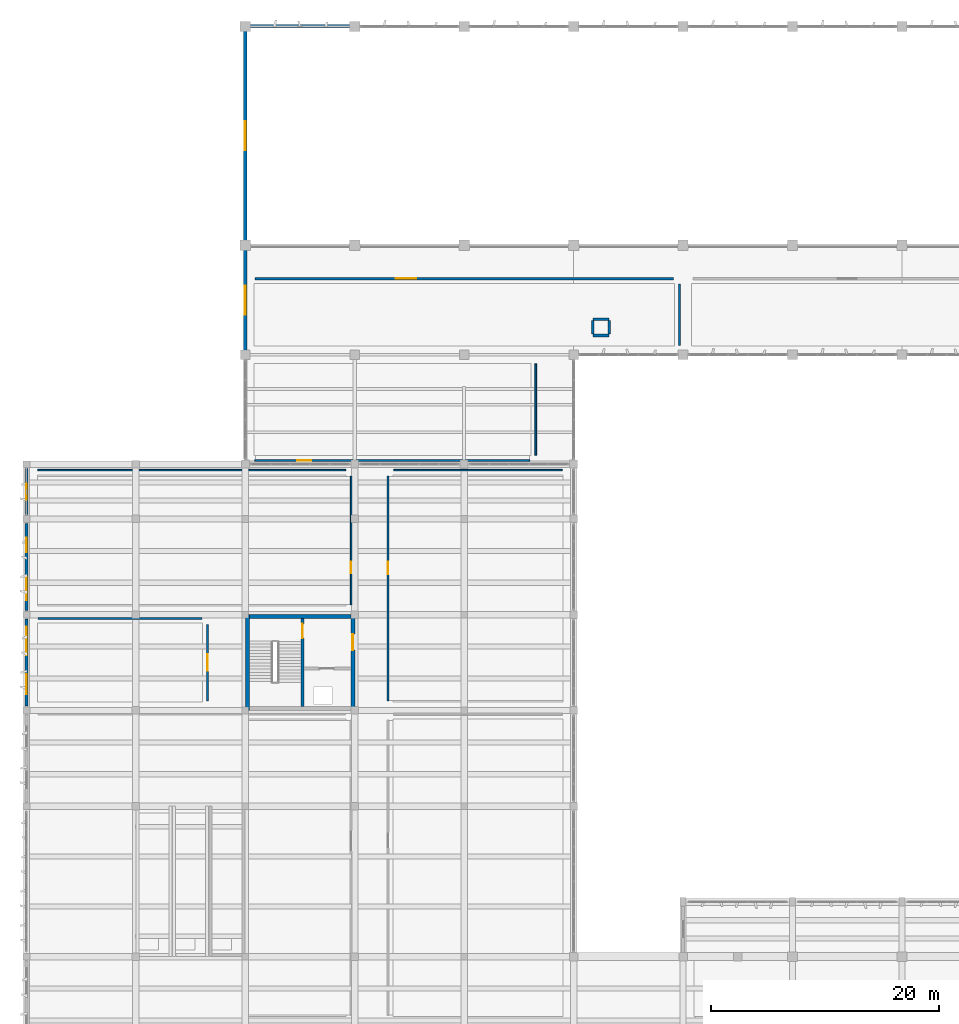
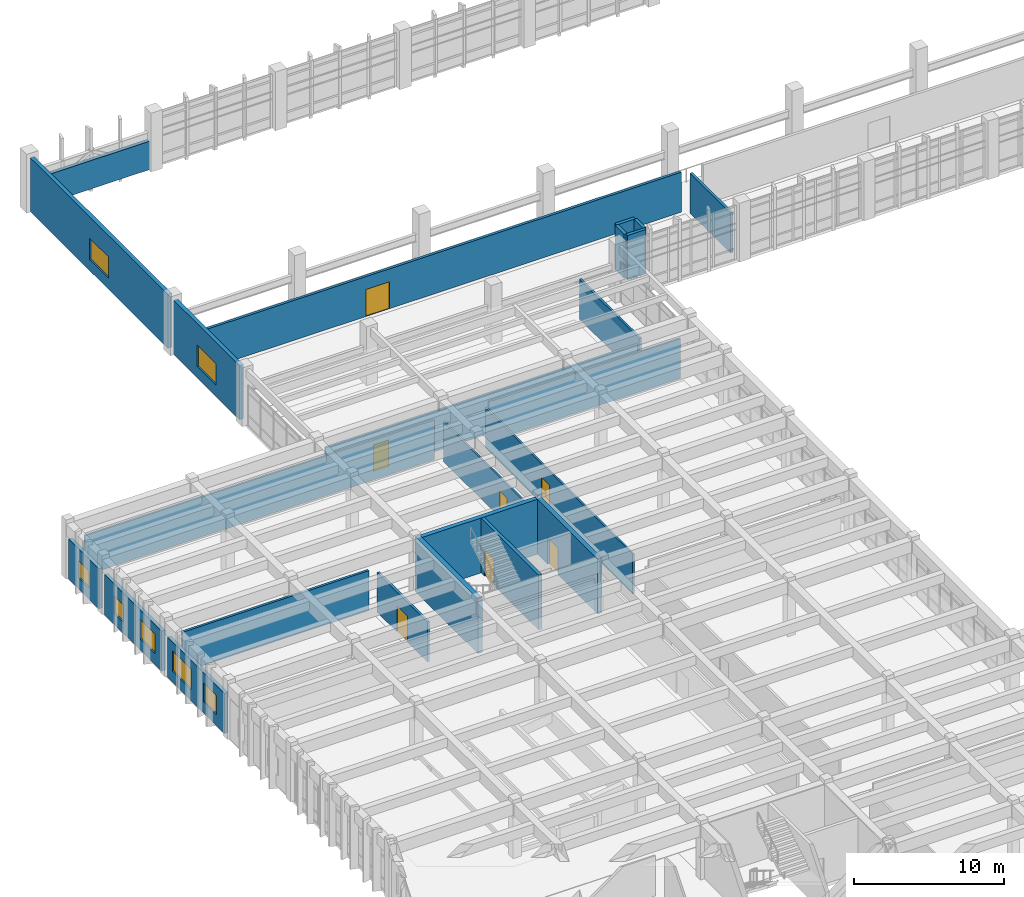
# One storey, part 68 of 86: 24 walls, 7 doors, 7 windows, 14 openings.
"""IFC4 building model written with IfcOpenShell, lengths in metres."""

import ifcopenshell
import ifcopenshell.guid

model = None  # the IFC model being written
_history = None  # IfcOwnerHistory: only IFC2X3 demands one
_inside = {}  # id of a spatial element -> (the spatial element, [elements in it])
_under = {}  # id of a project, library or spatial element -> (it, [spatial elements below it])
_declared = {}  # id of a project -> (the project, [libraries it declares])
_typed = {}  # id of a type object -> (the type object, [elements of that type])
_made_of = {}  # id of a material, layer set ... -> (it, [elements and type objects made of it])


def new_model(schema):
    """Start an empty IFC model of exactly this schema.

    Asked for "IFC4X3", IfcOpenShell would pick the latest addendum, in which some entities
    have other attributes; the version numbers below select the first issue.
    IFC2X3 requires an IfcOwnerHistory on every rooted entity: one is made here for all.
    """
    global model, _history
    if schema == "IFC4X3":
        model = ifcopenshell.file(schema_version=(4, 3, 0, 0))
    else:
        model = ifcopenshell.file(schema=schema)
    _inside.clear()
    _under.clear()
    _declared.clear()
    _typed.clear()
    _made_of.clear()
    _history = None
    if model.schema == "IFC2X3":
        org = make("IfcOrganization", Name="unknown")
        user = make(
            "IfcPersonAndOrganization",
            ThePerson=make("IfcPerson", FamilyName="unknown"),
            TheOrganization=org,
        )
        app = make(
            "IfcApplication",
            ApplicationDeveloper=org,
            Version="unknown",
            ApplicationFullName="unknown",
            ApplicationIdentifier="unknown",
        )
        _history = make(
            "IfcOwnerHistory",
            OwningUser=user,
            OwningApplication=app,
            ChangeAction="ADDED",
            CreationDate=0,
        )
    return model


def make(cls, **values):
    """One entity of the class cls with the attributes given. An attribute that is None is left unset."""
    return model.create_entity(
        cls, **{name: value for name, value in values.items() if value is not None}
    )


def rooted(cls, **values):
    """An entity with a GlobalId (a new one), such as an element, a storey or a relation."""
    return make(cls, GlobalId=ifcopenshell.guid.new(), OwnerHistory=_history, **values)


def si_unit(unit_type, name, prefix=None):
    """IfcSIUnit, for example si_unit("LENGTHUNIT", "METRE", prefix="MILLI")."""
    return make("IfcSIUnit", UnitType=unit_type, Prefix=prefix, Name=name)


def assignment(units):
    """IfcUnitAssignment: the units of a project."""
    return None if units is None else make("IfcUnitAssignment", Units=units)


def point(xyz):
    """IfcCartesianPoint."""
    return None if xyz is None else make("IfcCartesianPoint", Coordinates=xyz)


def direction(xyz):
    """IfcDirection."""
    return None if xyz is None else make("IfcDirection", DirectionRatios=xyz)


def frame(location, z_axis=None, x_axis=None):
    """IfcAxis2Placement3D, a coordinate frame: its origin and axes. An axis left out is left unset."""
    return make(
        "IfcAxis2Placement3D",
        Location=point(location),
        Axis=direction(z_axis),
        RefDirection=direction(x_axis),
    )


def frame_2d(location, x_axis=None):
    """IfcAxis2Placement2D, a coordinate frame in the plane: its origin and x axis."""
    return make(
        "IfcAxis2Placement2D", Location=point(location), RefDirection=direction(x_axis)
    )


def origin():
    """The frame at (0, 0, 0) with its axes left unset."""
    return frame((0.0, 0.0, 0.0))


def place(relative_to, where):
    """IfcLocalPlacement: puts the frame where relative to a parent placement (None: the world)."""
    return make(
        "IfcLocalPlacement", PlacementRelTo=relative_to, RelativePlacement=where
    )


def context(
    kind, dimensions, precision=None, world=None, true_north=None, identifier=None
):
    """IfcGeometricRepresentationContext, for example the 3D "Model" context."""
    return make(
        "IfcGeometricRepresentationContext",
        ContextIdentifier=identifier,
        ContextType=kind,
        CoordinateSpaceDimension=dimensions,
        Precision=precision,
        WorldCoordinateSystem=world,
        TrueNorth=true_north,
    )


def subcontext(parent, identifier, kind, view, scale=None):
    """IfcGeometricRepresentationSubContext, for example "Body" below "Model"."""
    return make(
        "IfcGeometricRepresentationSubContext",
        ContextIdentifier=identifier,
        ContextType=kind,
        ParentContext=parent,
        TargetScale=scale,
        TargetView=view,
    )


def project(units=None, contexts=None):
    """IfcProject with its units and contexts."""
    return rooted(
        "IfcProject",
        Name="project",
        RepresentationContexts=contexts,
        UnitsInContext=assignment(units),
    )


def spatial(cls, under=None, at=None, **own):
    """A site, building, storey or space (cls), placed at a placement, below another one or the project."""
    s = rooted(cls, ObjectPlacement=at, **own)
    if under is not None:
        _under.setdefault(under.id(), (under, []))[1].append(s)
    return s


def profile(cls, at=None, kind="AREA", **sizes):
    """A parametric profile (cls). Its sizes go by their IFC names, for example OverallWidth=200.0."""
    return make(cls, ProfileType=kind, Position=at, **sizes)


def rectangle(**sizes):
    """IfcRectangleProfileDef."""
    return profile("IfcRectangleProfileDef", **sizes)


def extrude(swept, where, along, depth):
    """IfcExtrudedAreaSolid: the profile swept, set in the frame where, extruded along a direction by depth."""
    return make(
        "IfcExtrudedAreaSolid",
        SweptArea=swept,
        Position=where,
        ExtrudedDirection=direction(along),
        Depth=depth,
    )


def shape(context_of_items, identifier, shape_type, items):
    """IfcShapeRepresentation: the items that make up one representation, for example the "Body"."""
    return make(
        "IfcShapeRepresentation",
        ContextOfItems=context_of_items,
        RepresentationIdentifier=identifier,
        RepresentationType=shape_type,
        Items=items,
    )


def material(Name=None, Category=None):
    """IfcMaterial."""
    return make("IfcMaterial", Name=Name, Category=Category)


def layer(
    of_material, thickness, ventilated=None, Name=None, Category=None, Priority=None
):
    """IfcMaterialLayer: one layer of a wall or slab, of a material (None: an air gap)."""
    return make(
        "IfcMaterialLayer",
        Material=of_material,
        LayerThickness=thickness,
        IsVentilated=ventilated,
        Name=Name,
        Category=Category,
        Priority=Priority,
    )


def layer_set(layers, Name=None):
    """IfcMaterialLayerSet."""
    return make("IfcMaterialLayerSet", MaterialLayers=layers, LayerSetName=Name)


def made_of(thing, what):
    """Note that an element or type object is made of a material, layer set ...; save() writes the relation."""
    if what is not None:
        _made_of.setdefault(what.id(), (what, []))[1].append(thing)
    return thing


def type_object(cls, material=None, **own):
    """A type object (cls), such as IfcWallType, which elements share."""
    return made_of(rooted(cls, **own), material)


def element(
    cls,
    number,
    at=None,
    inside=None,
    cuts=None,
    type_object=None,
    material=None,
    context=None,
    identifier="Body",
    shape_type=None,
    held_by="IfcProductDefinitionShape",
    body=None,
    shapes=None,
    **own,
):
    """One element of the class cls, such as IfcWall. Its Tag is "e" and its number.

    at: its placement. inside: the storey or other place that contains it. cuts: it is an
    opening in that element (IfcRelVoidsElement). A single representation is given by context,
    identifier, shape_type and body (its items); several are given by shapes. held_by: the class
    of the entity that holds the representations. save() writes the other relations.
    """
    e = rooted(cls, Tag="e%d" % number, ObjectPlacement=at, **own)
    if body is not None:
        shapes = [shape(context, identifier, shape_type, body)]
    if shapes is not None:
        e.Representation = make(held_by, Representations=shapes)
    if inside is not None:
        _inside.setdefault(inside.id(), (inside, []))[1].append(e)
    if cuts is not None:
        rooted(
            "IfcRelVoidsElement", RelatingBuildingElement=cuts, RelatedOpeningElement=e
        )
    if type_object is not None:
        _typed.setdefault(type_object.id(), (type_object, []))[1].append(e)
    return made_of(e, material)


def fill(opening, filler):
    """IfcRelFillsElement: the door or window that sits in an opening."""
    return rooted(
        "IfcRelFillsElement",
        RelatingOpeningElement=opening,
        RelatedBuildingElement=filler,
    )


def aggregate(whole, parts):
    """IfcRelAggregates: a whole, such as a stair, and the parts it consists of."""
    return rooted("IfcRelAggregates", RelatingObject=whole, RelatedObjects=parts)


def save(model, path):
    """Write the relations noted so far, then the file.

    IfcRelAggregates (storeys below a building ...), IfcRelContainedInSpatialStructure (elements
    in a storey), IfcRelDefinesByType, IfcRelAssociatesMaterial and IfcRelDeclares: one each for
    every whole, place, type object, material and project.
    """
    for whole, parts in _under.values():
        aggregate(whole, parts)
    for where, things in _inside.values():
        rooted(
            "IfcRelContainedInSpatialStructure",
            RelatedElements=things,
            RelatingStructure=where,
        )
    for kind, things in _typed.values():
        rooted("IfcRelDefinesByType", RelatedObjects=things, RelatingType=kind)
    for what, things in _made_of.values():
        rooted("IfcRelAssociatesMaterial", RelatedObjects=things, RelatingMaterial=what)
    for by, libraries in _declared.values():
        rooted("IfcRelDeclares", RelatingContext=by, RelatedDefinitions=libraries)
    model.write(path)


model = new_model("IFC4")

# Units and contexts
model_context = context("Model", 3, precision=1e-05, world=origin(), true_north=direction((0.0, 1.0)))
body_context = subcontext(model_context, "Body", "Model", "MODEL_VIEW")
ifc_project = project(units=[si_unit("LENGTHUNIT", "METRE"), si_unit("AREAUNIT", "SQUARE_METRE"), si_unit("VOLUMEUNIT", "CUBIC_METRE"), si_unit("PLANEANGLEUNIT", "RADIAN"), si_unit("MASSUNIT", "GRAM", prefix="KILO")], contexts=[model_context])

# Site, building, storey
site_placement = place(None, origin())
site = spatial("IfcSite", under=ifc_project, at=site_placement, CompositionType="ELEMENT")
building_placement = place(site_placement, origin())
building = spatial("IfcBuilding", under=site, at=building_placement, Name="Kolvemor Railside Polytechnic", CompositionType="ELEMENT")
storey_placement = place(building_placement, frame((0.0, 0.0, 5.39990234375)))
storey = spatial("IfcBuildingStorey", under=building, at=storey_placement, Name="L01", CompositionType="ELEMENT", Elevation=5.39990234375)

# Walls
ifc_material_1 = material(Name="Concrete C40/50", Category="concrete")
ifc_layer_1 = layer(ifc_material_1, 0.35009765625, Name="WL-CORE-350")
ifc_layer_set_1 = layer_set([ifc_layer_1], Name="Concrete C40/50")
wall_type_1 = type_object("IfcWallType", Name="WL-CORE-350", PredefinedType="SHEAR", material=ifc_layer_set_1)
wall_1_placement = place(storey_placement, frame((19.199951171875, 68.22509765625, 0.0), z_axis=(0.0, 0.0, 1.0), x_axis=(1.0, 0.0, 0.0)))
element("IfcWall", 1, at=wall_1_placement, inside=storey, type_object=wall_type_1, Name="CORE-5 North Core Wall L01", PredefinedType="SHEAR", context=body_context, shape_type="SweptSolid", body=[
    extrude(rectangle(XDim=9.60009765625, YDim=0.35009765625, at=frame_2d((4.800048828125, 0.0))), origin(), (0.0, 0.0, 1.0), 4.47998046875),
])
wall_2_placement = place(storey_placement, frame((19.375, 60.0, 0.0), z_axis=(0.0, 0.0, 1.0), x_axis=(0.0, 1.0, 0.0)))
element("IfcWall", 2, at=wall_2_placement, inside=storey, type_object=wall_type_1, Name="CORE-5 West Core Wall L01", PredefinedType="SHEAR", context=body_context, shape_type="SweptSolid", body=[
    extrude(rectangle(XDim=8.39990234375, YDim=0.35009765625, at=frame_2d((4.199951171875, 0.0))), origin(), (0.0, 0.0, 1.0), 4.47998046875),
])

# Wall, opening, door
wall_3_placement = place(storey_placement, frame((28.625, 60.0, 0.0), z_axis=(0.0, 0.0, 1.0), x_axis=(0.0, 1.0, 0.0)))
wall_3 = element("IfcWall", 3, at=wall_3_placement, inside=storey, type_object=wall_type_1, Name="CORE-5 East Core Wall L01", PredefinedType="SHEAR", context=body_context, shape_type="SweptSolid", body=[
    extrude(rectangle(XDim=8.39990234375, YDim=0.35009765625, at=frame_2d((4.199951171875, 0.0))), origin(), (0.0, 0.0, 1.0), 4.47998046875),
])
opening_1_placement = place(wall_3_placement, frame((5.300048828125, 0.0, 0.0)))
opening_1 = element("IfcOpeningElement", 4, at=opening_1_placement, cuts=wall_3, Name="Opening D-LOB-5-L01", PredefinedType="OPENING", context=body_context, shape_type="SweptSolid", body=[
    extrude(rectangle(XDim=1.39990234375, YDim=2.14990234375, at=frame_2d((0.699951171875, 1.074951171875))), frame((0.0, 0.18505859375, 0.0), z_axis=(0.0, -1.0, 0.0), x_axis=(1.0, 0.0, 0.0)), (0.0, 0.0, 1.0), 0.3701171875),
])
ifc_material_2 = material(Name="Fire-rated hardwood and brushed stainless-steel door", Category="steel")
door_type_1 = type_object("IfcDoorType", Name="DR-FD60-140x215", OperationType="NOTDEFINED", PredefinedType="DOOR", material=ifc_material_2)
door_1_placement = place(opening_1_placement, origin())
door_1 = element("IfcDoor", 5, at=door_1_placement, inside=storey, type_object=door_type_1, Name="Core Lobby Fire Door CORE-5 L01", OperationType="SINGLE_SWING_LEFT", OverallHeight=2.14990234375, OverallWidth=1.39990234375, PredefinedType="DOOR", context=body_context, shape_type="SweptSolid", body=[
    extrude(rectangle(XDim=1.39990234375, YDim=2.14990234375, at=frame_2d((0.699951171875, 1.074951171875))), frame((0.0, 0.02490234375, 0.0), z_axis=(0.0, -1.0, 0.0), x_axis=(1.0, 0.0, 0.0)), (0.0, 0.0, 1.0), 0.050048828125),
])
fill(opening_1, door_1)

# Wall, openings, windows
ifc_material_3 = material(Name="Precast concrete C40/50", Category="concrete")
ifc_layer_2 = layer(ifc_material_3, 0.284912109375, Name="WL-EXT-RC-285")
ifc_layer_set_2 = layer_set([ifc_layer_2], Name="Precast concrete C40/50")
wall_type_2 = type_object("IfcWallType", Name="WL-EXT-RC-285", PredefinedType="SOLIDWALL", material=ifc_layer_set_2)
wall_4_placement = place(storey_placement, frame((0.0, 68.02001953125, 0.0), z_axis=(0.0, 0.0, 1.0), x_axis=(0.0, -1.0, 0.0)))
wall_4 = element("IfcWall", 6, at=wall_4_placement, inside=storey, type_object=wall_type_2, Name="Exterior Wall L01-0068", PredefinedType="SOLIDWALL", context=body_context, shape_type="SweptSolid", body=[
    extrude(rectangle(XDim=7.64013671875, YDim=0.284912109375, at=frame_2d((3.820068359375, 0.0))), origin(), (0.0, 0.0, 1.0), 3.280029296875),
])
opening_2_placement = place(wall_4_placement, frame((0.659912109375, 0.0, 0.89990234375)))
opening_2 = element("IfcOpeningElement", 7, at=opening_2_placement, cuts=wall_4, Name="Opening WN-M22", PredefinedType="OPENING", context=body_context, shape_type="SweptSolid", body=[
    extrude(rectangle(XDim=2.5, YDim=1.64990234375, at=frame_2d((1.25, 0.824951171875))), frame((0.0, 0.15234375, 0.0), z_axis=(0.0, -1.0, 0.0), x_axis=(1.0, 0.0, 0.0)), (0.0, 0.0, 1.0), 0.304931640625),
])
opening_3_placement = place(wall_4_placement, frame((4.85498046875, 0.0, 0.89990234375)))
opening_3 = element("IfcOpeningElement", 8, at=opening_3_placement, cuts=wall_4, Name="Opening WN-M05", PredefinedType="OPENING", context=body_context, shape_type="SweptSolid", body=[
    extrude(rectangle(XDim=1.75, YDim=1.550048828125, at=frame_2d((0.875, 0.77490234375))), frame((0.0, 0.15234375, 0.0), z_axis=(0.0, -1.0, 0.0), x_axis=(1.0, 0.0, 0.0)), (0.0, 0.0, 1.0), 0.304931640625),
])
ifc_material_4 = material(Name="Hurricane-laminated thermally broken aluminium window", Category="aluminium")
window_type_1 = type_object("IfcWindowType", Name="WN-MOD-175x155", PartitioningType="SINGLE_PANEL", PredefinedType="WINDOW", material=ifc_material_4)
window_1_placement = place(opening_3_placement, origin())
window_1 = element("IfcWindow", 9, at=window_1_placement, inside=storey, type_object=window_type_1, Name="Window L01-0069", OverallHeight=1.550048828125, OverallWidth=1.75, PartitioningType="SINGLE_PANEL", PredefinedType="WINDOW", context=body_context, shape_type="SweptSolid", body=[
    extrude(rectangle(XDim=1.75, YDim=1.550048828125, at=frame_2d((0.875, 0.77490234375))), frame((0.0, 0.030029296875, 0.0), z_axis=(0.0, -1.0, 0.0), x_axis=(1.0, 0.0, 0.0)), (0.0, 0.0, 1.0), 0.06005859375),
])
fill(opening_3, window_1)
ifc_material_5 = material(Name="Hurricane-laminated thermally broken aluminium window", Category="aluminium")
window_type_2 = type_object("IfcWindowType", Name="WN-MOD-250x165", PartitioningType="DOUBLE_PANEL_VERTICAL", PredefinedType="WINDOW", material=ifc_material_5)
window_2_placement = place(opening_2_placement, origin())
window_2 = element("IfcWindow", 10, at=window_2_placement, inside=storey, type_object=window_type_2, Name="Window L01-0068", OverallHeight=1.64990234375, OverallWidth=2.5, PartitioningType="SINGLE_PANEL", PredefinedType="WINDOW", context=body_context, shape_type="SweptSolid", body=[
    extrude(rectangle(XDim=2.5, YDim=1.64990234375, at=frame_2d((1.25, 0.824951171875))), frame((0.0, 0.030029296875, 0.0), z_axis=(0.0, -1.0, 0.0), x_axis=(1.0, 0.0, 0.0)), (0.0, 0.0, 1.0), 0.06005859375),
])
fill(opening_2, window_2)

wall_5_placement = place(storey_placement, frame((0.0, 76.419921875, 0.0), z_axis=(0.0, 0.0, 1.0), x_axis=(0.0, -1.0, 0.0)))
wall_5 = element("IfcWall", 11, at=wall_5_placement, inside=storey, type_object=wall_type_2, Name="Exterior Wall L01-0075", PredefinedType="SOLIDWALL", context=body_context, shape_type="SweptSolid", body=[
    extrude(rectangle(XDim=7.639892578125, YDim=0.284912109375, at=frame_2d((3.81982421875, 0.0))), origin(), (0.0, 0.0, 1.0), 3.280029296875),
])
opening_4_placement = place(wall_5_placement, frame((1.260009765625, 0.0, 0.89990234375)))
opening_4 = element("IfcOpeningElement", 12, at=opening_4_placement, cuts=wall_5, Name="Opening WN-M01", PredefinedType="OPENING", context=body_context, shape_type="SweptSolid", body=[
    extrude(rectangle(XDim=1.300048828125, YDim=1.39990234375, at=frame_2d((0.64990234375, 0.699951171875))), frame((0.0, 0.15234375, 0.0), z_axis=(0.0, -1.0, 0.0), x_axis=(1.0, 0.0, 0.0)), (0.0, 0.0, 1.0), 0.304931640625),
])
opening_5_placement = place(wall_5_placement, frame((4.705078125, 0.0, 0.89990234375)))
opening_5 = element("IfcOpeningElement", 13, at=opening_5_placement, cuts=wall_5, Name="Opening WN-M08", PredefinedType="OPENING", context=body_context, shape_type="SweptSolid", body=[
    extrude(rectangle(XDim=2.050048828125, YDim=1.60009765625, at=frame_2d((1.02490234375, 0.800048828125))), frame((0.0, 0.15234375, 0.0), z_axis=(0.0, -1.0, 0.0), x_axis=(1.0, 0.0, 0.0)), (0.0, 0.0, 1.0), 0.304931640625),
])
ifc_material_6 = material(Name="Hurricane-laminated thermally broken aluminium window", Category="aluminium")
window_type_3 = type_object("IfcWindowType", Name="WN-MOD-130x140", PartitioningType="SINGLE_PANEL", PredefinedType="WINDOW", material=ifc_material_6)
window_3_placement = place(opening_4_placement, origin())
window_3 = element("IfcWindow", 14, at=window_3_placement, inside=storey, type_object=window_type_3, Name="Window L01-0077", OverallHeight=1.39990234375, OverallWidth=1.300048828125, PartitioningType="SINGLE_PANEL", PredefinedType="WINDOW", context=body_context, shape_type="SweptSolid", body=[
    extrude(rectangle(XDim=1.300048828125, YDim=1.39990234375, at=frame_2d((0.64990234375, 0.699951171875))), frame((0.0, 0.030029296875, 0.0), z_axis=(0.0, -1.0, 0.0), x_axis=(1.0, 0.0, 0.0)), (0.0, 0.0, 1.0), 0.06005859375),
])
fill(opening_4, window_3)
ifc_material_7 = material(Name="Hurricane-laminated thermally broken aluminium window", Category="aluminium")
window_type_4 = type_object("IfcWindowType", Name="WN-MOD-205x160", PartitioningType="DOUBLE_PANEL_VERTICAL", PredefinedType="WINDOW", material=ifc_material_7)
window_4_placement = place(opening_5_placement, origin())
window_4 = element("IfcWindow", 15, at=window_4_placement, inside=storey, type_object=window_type_4, Name="Window L01-0078", OverallHeight=1.60009765625, OverallWidth=2.050048828125, PartitioningType="SINGLE_PANEL", PredefinedType="WINDOW", context=body_context, shape_type="SweptSolid", body=[
    extrude(rectangle(XDim=2.050048828125, YDim=1.60009765625, at=frame_2d((1.02490234375, 0.800048828125))), frame((0.0, 0.030029296875, 0.0), z_axis=(0.0, -1.0, 0.0), x_axis=(1.0, 0.0, 0.0)), (0.0, 0.0, 1.0), 0.06005859375),
])
fill(opening_5, window_4)

# Wall, opening, window
wall_6_placement = place(storey_placement, frame((0.0, 81.219970703125, 0.0), z_axis=(0.0, 0.0, 1.0), x_axis=(0.0, -1.0, 0.0)))
wall_6 = element("IfcWall", 16, at=wall_6_placement, inside=storey, type_object=wall_type_2, Name="Exterior Wall L01-0082", PredefinedType="SOLIDWALL", context=body_context, shape_type="SweptSolid", body=[
    extrude(rectangle(XDim=4.0400390625, YDim=0.284912109375, at=frame_2d((2.02001953125, 0.0))), origin(), (0.0, 0.0, 1.0), 3.280029296875),
])
opening_6_placement = place(wall_6_placement, frame((1.320068359375, 0.0, 0.89990234375)))
opening_6 = element("IfcOpeningElement", 17, at=opening_6_placement, cuts=wall_6, Name="Opening WN-ADM1", PredefinedType="OPENING", context=body_context, shape_type="SweptSolid", body=[
    extrude(rectangle(XDim=1.39990234375, YDim=1.39990234375, at=frame_2d((0.699951171875, 0.699951171875))), frame((0.0, 0.15234375, 0.0), z_axis=(0.0, -1.0, 0.0), x_axis=(1.0, 0.0, 0.0)), (0.0, 0.0, 1.0), 0.304931640625),
])
ifc_material_8 = material(Name="Hurricane-laminated thermally broken aluminium window", Category="aluminium")
window_type_5 = type_object("IfcWindowType", Name="WN-ADM-140x140", PartitioningType="SINGLE_PANEL", PredefinedType="WINDOW", material=ifc_material_8)
window_5_placement = place(opening_6_placement, origin())
window_5 = element("IfcWindow", 18, at=window_5_placement, inside=storey, type_object=window_type_5, Name="Window L01-0086", OverallHeight=1.39990234375, OverallWidth=1.39990234375, PartitioningType="SINGLE_PANEL", PredefinedType="WINDOW", context=body_context, shape_type="SweptSolid", body=[
    extrude(rectangle(XDim=1.39990234375, YDim=1.39990234375, at=frame_2d((0.699951171875, 0.699951171875))), frame((0.0, 0.030029296875, 0.0), z_axis=(0.0, -1.0, 0.0), x_axis=(1.0, 0.0, 0.0)), (0.0, 0.0, 1.0), 0.06005859375),
])
fill(opening_6, window_5)

# Wall
ifc_material_9 = material(Name="Concrete C40/50", Category="concrete")
ifc_layer_3 = layer(ifc_material_9, 0.300048828125, Name="WL-EXT-RC-300")
ifc_layer_set_3 = layer_set([ifc_layer_3], Name="Concrete C40/50")
wall_type_3 = type_object("IfcWallType", Name="WL-EXT-RC-300", PredefinedType="SOLIDWALL", material=ifc_layer_set_3)
wall_7_placement = place(storey_placement, frame((28.419921875, 120.0, 0.0), z_axis=(0.0, 0.0, 1.0), x_axis=(-1.0, 0.0, 0.0)))
element("IfcWall", 19, at=wall_7_placement, inside=storey, type_object=wall_type_3, Name="Exterior Wall L01-0002", PredefinedType="SOLIDWALL", context=body_context, shape_type="SweptSolid", body=[
    extrude(rectangle(XDim=8.83984375, YDim=0.300048828125, at=frame_2d((4.419921875, 0.0))), origin(), (0.0, 0.0, 1.0), 2.320068359375),
])

# Wall, opening, window
wall_8_placement = place(storey_placement, frame((19.199951171875, 100.419921875, 0.0), z_axis=(0.0, 0.0, 1.0), x_axis=(0.0, -1.0, 0.0)))
wall_8 = element("IfcWall", 20, at=wall_8_placement, inside=storey, type_object=wall_type_3, Name="Exterior Wall L01-0018", PredefinedType="SOLIDWALL", context=body_context, shape_type="SweptSolid", body=[
    extrude(rectangle(XDim=8.83984375, YDim=0.300048828125, at=frame_2d((4.419921875, 0.0))), origin(), (0.0, 0.0, 1.0), 4.400146484375),
])
opening_7_placement = place(wall_8_placement, frame((3.14501953125, 0.0, 0.89990234375)))
opening_7 = element("IfcOpeningElement", 21, at=opening_7_placement, cuts=wall_8, Name="Opening WN-M13", PredefinedType="OPENING", context=body_context, shape_type="SweptSolid", body=[
    extrude(rectangle(XDim=2.550048828125, YDim=1.75, at=frame_2d((1.27490234375, 0.875))), frame((0.0, 0.159912109375, 0.0), z_axis=(0.0, -1.0, 0.0), x_axis=(1.0, 0.0, 0.0)), (0.0, 0.0, 1.0), 0.320068359375),
])
ifc_material_10 = material(Name="Hurricane-laminated thermally broken aluminium window", Category="aluminium")
window_type_6 = type_object("IfcWindowType", Name="WN-MOD-255x175", PartitioningType="DOUBLE_PANEL_VERTICAL", PredefinedType="WINDOW", material=ifc_material_10)
window_6_placement = place(opening_7_placement, origin())
window_6 = element("IfcWindow", 22, at=window_6_placement, inside=storey, type_object=window_type_6, Name="Window L01-0013", OverallHeight=1.75, OverallWidth=2.550048828125, PartitioningType="SINGLE_PANEL", PredefinedType="WINDOW", context=body_context, shape_type="SweptSolid", body=[
    extrude(rectangle(XDim=2.550048828125, YDim=1.75, at=frame_2d((1.27490234375, 0.875))), frame((0.0, 0.030029296875, 0.0), z_axis=(0.0, -1.0, 0.0), x_axis=(1.0, 0.0, 0.0)), (0.0, 0.0, 1.0), 0.06005859375),
])
fill(opening_7, window_6)

wall_9_placement = place(storey_placement, frame((19.199951171875, 119.6201171875, 0.0), z_axis=(0.0, 0.0, 1.0), x_axis=(0.0, -1.0, 0.0)))
wall_9 = element("IfcWall", 23, at=wall_9_placement, inside=storey, type_object=wall_type_3, Name="Exterior Wall L01-0022", PredefinedType="SOLIDWALL", context=body_context, shape_type="SweptSolid", body=[
    extrude(rectangle(XDim=18.440185546875, YDim=0.300048828125, at=frame_2d((9.22021484375, 0.0))), origin(), (0.0, 0.0, 1.0), 4.400146484375),
])
opening_8_placement = place(wall_9_placement, frame((7.945068359375, 0.0, 0.89990234375)))
opening_8 = element("IfcOpeningElement", 24, at=opening_8_placement, cuts=wall_9, Name="Opening WN-M13", PredefinedType="OPENING", context=body_context, shape_type="SweptSolid", body=[
    extrude(rectangle(XDim=2.550048828125, YDim=1.75, at=frame_2d((1.27490234375, 0.875))), frame((0.0, 0.159912109375, 0.0), z_axis=(0.0, -1.0, 0.0), x_axis=(1.0, 0.0, 0.0)), (0.0, 0.0, 1.0), 0.320068359375),
])
window_7_placement = place(opening_8_placement, origin())
window_7 = element("IfcWindow", 25, at=window_7_placement, inside=storey, type_object=window_type_6, Name="Window L01-0017", OverallHeight=1.75, OverallWidth=2.550048828125, PartitioningType="SINGLE_PANEL", PredefinedType="WINDOW", context=body_context, shape_type="SweptSolid", body=[
    extrude(rectangle(XDim=2.550048828125, YDim=1.75, at=frame_2d((1.27490234375, 0.875))), frame((0.0, 0.030029296875, 0.0), z_axis=(0.0, -1.0, 0.0), x_axis=(1.0, 0.0, 0.0)), (0.0, 0.0, 1.0), 0.06005859375),
])
fill(opening_8, window_7)

# Wall, opening, door
ifc_material_11 = material(Name="Seminar acoustic partition")
ifc_layer_4 = layer(ifc_material_11, 0.139892578125, Name="WL-PART-140")
ifc_layer_set_4 = layer_set([ifc_layer_4], Name="Seminar acoustic partition")
wall_type_4 = type_object("IfcWallType", Name="WL-PART-140", PredefinedType="PARTITIONING", material=ifc_layer_set_4)
wall_10_placement = place(storey_placement, frame((28.47998046875, 69.25, 0.0), z_axis=(0.0, 0.0, 1.0), x_axis=(0.0, 1.0, 0.0)))
wall_10 = element("IfcWall", 26, at=wall_10_placement, inside=storey, type_object=wall_type_4, Name="Partition Wall L01-0090", PredefinedType="PARTITIONING", context=body_context, shape_type="SweptSolid", body=[
    extrude(rectangle(XDim=11.300048828125, YDim=0.139892578125, at=frame_2d((5.64990234375, 0.0))), origin(), (0.0, 0.0, 1.0), 3.260009765625),
])
opening_9_placement = place(wall_10_placement, frame((2.764892578125, 0.0, 0.0)))
opening_9 = element("IfcOpeningElement", 27, at=opening_9_placement, cuts=wall_10, Name="Opening D-01052", PredefinedType="OPENING", context=body_context, shape_type="SweptSolid", body=[
    extrude(rectangle(XDim=1.0400390625, YDim=2.14990234375, at=frame_2d((0.52001953125, 1.074951171875))), frame((0.0, 0.079833984375, 0.0), z_axis=(0.0, -1.0, 0.0), x_axis=(1.0, 0.0, 0.0)), (0.0, 0.0, 1.0), 0.159912109375),
])
ifc_material_12 = material(Name="Solid hardwood acoustic door", Category="wood")
door_type_2 = type_object("IfcDoorType", Name="DR-SEM-104x215", OperationType="NOTDEFINED", PredefinedType="DOOR", material=ifc_material_12)
door_2_placement = place(opening_9_placement, origin())
door_2 = element("IfcDoor", 28, at=door_2_placement, inside=storey, type_object=door_type_2, Name="Room Door D-01052 (Seminar Room 101)", OperationType="SINGLE_SWING_LEFT", OverallHeight=2.14990234375, OverallWidth=1.0400390625, PredefinedType="DOOR", context=body_context, shape_type="SweptSolid", body=[
    extrude(rectangle(XDim=1.0400390625, YDim=2.14990234375, at=frame_2d((0.52001953125, 1.074951171875))), frame((0.0, 0.02490234375, 0.0), z_axis=(0.0, -1.0, 0.0), x_axis=(1.0, 0.0, 0.0)), (0.0, 0.0, 1.0), 0.050048828125),
])
fill(opening_9, door_2)

# Wall
wall_11_placement = place(storey_placement, frame((1.0, 81.080078125, 0.0), z_axis=(0.0, 0.0, 1.0), x_axis=(1.0, 0.0, 0.0)))
element("IfcWall", 29, at=wall_11_placement, inside=storey, type_object=wall_type_4, Name="Demising Partition L01-0091", PredefinedType="PARTITIONING", context=body_context, shape_type="SweptSolid", body=[
    extrude(rectangle(XDim=27.0, YDim=0.139892578125, at=frame_2d((13.5, 0.0))), origin(), (0.0, 0.0, 1.0), 3.260009765625),
])

# Wall, opening, door
wall_12_placement = place(storey_placement, frame((31.719970703125, 60.85009765625, 0.0), z_axis=(0.0, 0.0, 1.0), x_axis=(0.0, 1.0, 0.0)))
wall_12 = element("IfcWall", 30, at=wall_12_placement, inside=storey, type_object=wall_type_4, Name="Partition Wall L01-0096", PredefinedType="PARTITIONING", context=body_context, shape_type="SweptSolid", body=[
    extrude(rectangle(XDim=19.699951171875, YDim=0.139892578125, at=frame_2d((9.85009765625, 0.0))), origin(), (0.0, 0.0, 1.0), 3.260009765625),
])
opening_10_placement = place(wall_12_placement, frame((11.092041015625, 0.0, 0.0)))
opening_10 = element("IfcOpeningElement", 31, at=opening_10_placement, cuts=wall_12, Name="Opening D-01055", PredefinedType="OPENING", context=body_context, shape_type="SweptSolid", body=[
    extrude(rectangle(XDim=1.080078125, YDim=2.14990234375, at=frame_2d((0.5400390625, 1.074951171875))), frame((0.0, 0.079833984375, 0.0), z_axis=(0.0, -1.0, 0.0), x_axis=(1.0, 0.0, 0.0)), (0.0, 0.0, 1.0), 0.159912109375),
])
ifc_material_13 = material(Name="Solid hardwood acoustic door", Category="wood")
door_type_3 = type_object("IfcDoorType", Name="DR-SEM-108x215", OperationType="NOTDEFINED", PredefinedType="DOOR", material=ifc_material_13)
door_3_placement = place(opening_10_placement, origin())
door_3 = element("IfcDoor", 32, at=door_3_placement, inside=storey, type_object=door_type_3, Name="Room Door D-01055 (Seminar Room 103)", OperationType="SINGLE_SWING_RIGHT", OverallHeight=2.14990234375, OverallWidth=1.080078125, PredefinedType="DOOR", context=body_context, shape_type="SweptSolid", body=[
    extrude(rectangle(XDim=1.080078125, YDim=2.14990234375, at=frame_2d((0.5400390625, 1.074951171875))), frame((0.0, 0.02490234375, 0.0), z_axis=(0.0, -1.0, 0.0), x_axis=(1.0, 0.0, 0.0)), (0.0, 0.0, 1.0), 0.050048828125),
])
fill(opening_10, door_3)

# Wall
wall_13_placement = place(storey_placement, frame((32.199951171875, 81.080078125, 0.0), z_axis=(0.0, 0.0, 1.0), x_axis=(1.0, 0.0, 0.0)))
element("IfcWall", 33, at=wall_13_placement, inside=storey, type_object=wall_type_4, Name="Demising Partition L01-0097", PredefinedType="PARTITIONING", context=body_context, shape_type="SweptSolid", body=[
    extrude(rectangle(XDim=14.800048828125, YDim=0.139892578125, at=frame_2d((7.39990234375, 0.0))), origin(), (0.0, 0.0, 1.0), 3.260009765625),
])

# Wall, opening, door
ifc_material_14 = material(Name="Fire-rated laboratory corridor partition")
ifc_layer_5 = layer(ifc_material_14, 0.1650390625, Name="WL-PART-165")
ifc_layer_set_5 = layer_set([ifc_layer_5], Name="Fire-rated laboratory corridor partition")
wall_type_5 = type_object("IfcWallType", Name="WL-PART-165", PredefinedType="PARTITIONING", material=ifc_layer_set_5)
wall_14_placement = place(storey_placement, frame((20.050048828125, 81.919921875, 0.0), z_axis=(0.0, 0.0, 1.0), x_axis=(1.0, 0.0, 0.0)))
wall_14 = element("IfcWall", 34, at=wall_14_placement, inside=storey, type_object=wall_type_5, Name="Partition Wall L01-0083", PredefinedType="PARTITIONING", context=body_context, shape_type="SweptSolid", body=[
    extrude(rectangle(XDim=24.099853515625, YDim=0.1650390625, at=frame_2d((12.0498046875, 0.0))), origin(), (0.0, 0.0, 1.0), 3.260009765625),
])
opening_11_placement = place(wall_14_placement, frame((3.7119140625, 0.0, 0.0)))
opening_11 = element("IfcOpeningElement", 35, at=opening_11_placement, cuts=wall_14, Name="Opening D-01048", PredefinedType="OPENING", context=body_context, shape_type="SweptSolid", body=[
    extrude(rectangle(XDim=1.219970703125, YDim=2.14990234375, at=frame_2d((0.60986328125, 1.074951171875))), frame((0.0, 0.092529296875, 0.0), z_axis=(0.0, -1.0, 0.0), x_axis=(1.0, 0.0, 0.0)), (0.0, 0.0, 1.0), 0.18505859375),
])
ifc_material_15 = material(Name="Fire-rated hardwood and brushed stainless-steel door", Category="steel")
door_type_4 = type_object("IfcDoorType", Name="DR-LAB-122x215", OperationType="NOTDEFINED", PredefinedType="DOOR", material=ifc_material_15)
door_4_placement = place(opening_11_placement, origin())
door_4 = element("IfcDoor", 36, at=door_4_placement, inside=storey, type_object=door_type_4, Name="Room Door D-01048 (Geotechnical Mechanics Laboratory)", OperationType="SINGLE_SWING_LEFT", OverallHeight=2.14990234375, OverallWidth=1.219970703125, PredefinedType="DOOR", context=body_context, shape_type="SweptSolid", body=[
    extrude(rectangle(XDim=1.219970703125, YDim=2.14990234375, at=frame_2d((0.60986328125, 1.074951171875))), frame((0.0, 0.02490234375, 0.0), z_axis=(0.0, -1.0, 0.0), x_axis=(1.0, 0.0, 0.0)), (0.0, 0.0, 1.0), 0.050048828125),
])
fill(opening_11, door_4)

# Wall
wall_15_placement = place(storey_placement, frame((44.679931640625, 82.39990234375, 0.0), z_axis=(0.0, 0.0, 1.0), x_axis=(0.0, 1.0, 0.0)))
element("IfcWall", 37, at=wall_15_placement, inside=storey, type_object=wall_type_5, Name="Demising Partition L01-0084", PredefinedType="PARTITIONING", context=body_context, shape_type="SweptSolid", body=[
    extrude(rectangle(XDim=8.0, YDim=0.1650390625, at=frame_2d((4.0, 0.0))), origin(), (0.0, 0.0, 1.0), 3.260009765625),
])

# Wall, opening, door
ifc_material_16 = material(Name="Fire-rated double-stud acoustic partition")
ifc_layer_6 = layer(ifc_material_16, 0.179931640625, Name="WL-PART-180")
ifc_layer_set_6 = layer_set([ifc_layer_6], Name="Fire-rated double-stud acoustic partition")
wall_type_6 = type_object("IfcWallType", Name="WL-PART-180", PredefinedType="PARTITIONING", material=ifc_layer_set_6)
wall_16_placement = place(storey_placement, frame((15.8798828125, 60.85009765625, 0.0), z_axis=(0.0, 0.0, 1.0), x_axis=(0.0, 1.0, 0.0)))
wall_16 = element("IfcWall", 38, at=wall_16_placement, inside=storey, type_object=wall_type_6, Name="Partition Wall L01-0100", PredefinedType="PARTITIONING", context=body_context, shape_type="SweptSolid", body=[
    extrude(rectangle(XDim=6.699951171875, YDim=0.179931640625, at=frame_2d((3.35009765625, 0.0))), origin(), (0.0, 0.0, 1.0), 3.260009765625),
])
opening_12_placement = place(wall_16_placement, frame((2.625, 0.0, 0.0)))
opening_12 = element("IfcOpeningElement", 39, at=opening_12_placement, cuts=wall_16, Name="Opening D-01057", PredefinedType="OPENING", context=body_context, shape_type="SweptSolid", body=[
    extrude(rectangle(XDim=1.449951171875, YDim=2.14990234375, at=frame_2d((0.72509765625, 1.074951171875))), frame((0.0, 0.099853515625, 0.0), z_axis=(0.0, -1.0, 0.0), x_axis=(1.0, 0.0, 0.0)), (0.0, 0.0, 1.0), 0.199951171875),
])
ifc_material_17 = material(Name="Fire-rated hardwood and brushed stainless-steel door", Category="steel")
door_type_5 = type_object("IfcDoorType", Name="DR-PLT-145x215", OperationType="NOTDEFINED", PredefinedType="DOOR", material=ifc_material_17)
door_5_placement = place(opening_12_placement, origin())
door_5 = element("IfcDoor", 40, at=door_5_placement, inside=storey, type_object=door_type_5, Name="Room Door D-01057 (Lecture AHU Sub-Plant L01)", OperationType="SINGLE_SWING_RIGHT", OverallHeight=2.14990234375, OverallWidth=1.449951171875, PredefinedType="DOOR", context=body_context, shape_type="SweptSolid", body=[
    extrude(rectangle(XDim=1.449951171875, YDim=2.14990234375, at=frame_2d((0.72509765625, 1.074951171875))), frame((0.0, 0.02490234375, 0.0), z_axis=(0.0, -1.0, 0.0), x_axis=(1.0, 0.0, 0.0)), (0.0, 0.0, 1.0), 0.050048828125),
])
fill(opening_12, door_5)

# Wall
wall_17_placement = place(storey_placement, frame((1.0, 68.080078125, 0.0), z_axis=(0.0, 0.0, 1.0), x_axis=(1.0, 0.0, 0.0)))
element("IfcWall", 41, at=wall_17_placement, inside=storey, type_object=wall_type_6, Name="Demising Partition L01-0101", PredefinedType="PARTITIONING", context=body_context, shape_type="SweptSolid", body=[
    extrude(rectangle(XDim=14.39990234375, YDim=0.179931640625, at=frame_2d((7.199951171875, 0.0))), origin(), (0.0, 0.0, 1.0), 3.260009765625),
])

# Wall, opening, door
ifc_material_18 = material(Name="Acoustic concrete blockwork and gypsum", Category="masonry")
ifc_layer_7 = layer(ifc_material_18, 0.199951171875, Name="WL-PART-200")
ifc_layer_set_7 = layer_set([ifc_layer_7], Name="Acoustic concrete blockwork and gypsum")
wall_type_7 = type_object("IfcWallType", Name="WL-PART-200", PredefinedType="PARTITIONING", material=ifc_layer_set_7)
wall_18_placement = place(storey_placement, frame((20.050048828125, 97.8798828125, 0.0), z_axis=(0.0, 0.0, 1.0), x_axis=(1.0, 0.0, 0.0)))
wall_18 = element("IfcWall", 42, at=wall_18_placement, inside=storey, type_object=wall_type_7, Name="Partition Wall L01-0077", PredefinedType="PARTITIONING", context=body_context, shape_type="SweptSolid", body=[
    extrude(rectangle(XDim=36.699951171875, YDim=0.199951171875, at=frame_2d((18.35009765625, 0.0))), origin(), (0.0, 0.0, 1.0), 3.260009765625),
])
opening_13_placement = place(wall_18_placement, frame((12.3349609375, 0.0, 0.0)))
opening_13 = element("IfcOpeningElement", 43, at=opening_13_placement, cuts=wall_18, Name="Opening D-01044", PredefinedType="OPENING", context=body_context, shape_type="SweptSolid", body=[
    extrude(rectangle(XDim=1.800048828125, YDim=2.199951171875, at=frame_2d((0.89990234375, 1.10009765625))), frame((0.0, 0.10986328125, 0.0), z_axis=(0.0, -1.0, 0.0), x_axis=(1.0, 0.0, 0.0)), (0.0, 0.0, 1.0), 0.219970703125),
])
ifc_material_19 = material(Name="Fire-rated hardwood and brushed stainless-steel door", Category="steel")
door_type_6 = type_object("IfcDoorType", Name="DR-WKS-180x220", OperationType="NOTDEFINED", PredefinedType="DOOR", material=ifc_material_19)
door_6_placement = place(opening_13_placement, origin())
door_6 = element("IfcDoor", 44, at=door_6_placement, inside=storey, type_object=door_type_6, Name="Room Door D-01044 (Additive Manufacturing Engineering Workshop)", OperationType="SINGLE_SWING_LEFT", OverallHeight=2.199951171875, OverallWidth=1.800048828125, PredefinedType="DOOR", context=body_context, shape_type="SweptSolid", body=[
    extrude(rectangle(XDim=1.800048828125, YDim=2.199951171875, at=frame_2d((0.89990234375, 1.10009765625))), frame((0.0, 0.02490234375, 0.0), z_axis=(0.0, -1.0, 0.0), x_axis=(1.0, 0.0, 0.0)), (0.0, 0.0, 1.0), 0.050048828125),
])
fill(opening_13, door_6)

# Wall
wall_19_placement = place(storey_placement, frame((57.280029296875, 92.0, 0.0), z_axis=(0.0, 0.0, 1.0), x_axis=(0.0, 1.0, 0.0)))
element("IfcWall", 45, at=wall_19_placement, inside=storey, type_object=wall_type_7, Name="Demising Partition L01-0078", PredefinedType="PARTITIONING", context=body_context, shape_type="SweptSolid", body=[
    extrude(rectangle(XDim=5.39990234375, YDim=0.199951171875, at=frame_2d((2.699951171875, 0.0))), origin(), (0.0, 0.0, 1.0), 3.260009765625),
])

# Wall, opening, door
ifc_material_20 = material(Name="Concrete C40/50", Category="concrete")
ifc_layer_8 = layer(ifc_material_20, 0.25, Name="WL-SHFT-250")
ifc_layer_set_8 = layer_set([ifc_layer_8], Name="Concrete C40/50")
wall_type_8 = type_object("IfcWallType", Name="WL-SHFT-250", PredefinedType="SHEAR", material=ifc_layer_set_8)
wall_20_placement = place(storey_placement, frame((24.22509765625, 68.050048828125, 0.0), z_axis=(0.0, 0.0, 1.0), x_axis=(0.0, -1.0, 0.0)))
wall_20 = element("IfcWall", 46, at=wall_20_placement, inside=storey, type_object=wall_type_8, Name="CORE-5 Stair-Lobby Divider Wall L01", PredefinedType="SHEAR", context=body_context, shape_type="SweptSolid", body=[
    extrude(rectangle(XDim=7.699951171875, YDim=0.25, at=frame_2d((3.85009765625, 0.0))), origin(), (0.0, 0.0, 1.0), 4.47998046875),
])
opening_14_placement = place(wall_20_placement, frame((0.449951171875, 0.0, 0.0)))
opening_14 = element("IfcOpeningElement", 47, at=opening_14_placement, cuts=wall_20, Name="Opening D-ST-5-L01", PredefinedType="OPENING", context=body_context, shape_type="SweptSolid", body=[
    extrude(rectangle(XDim=1.25, YDim=2.14990234375, at=frame_2d((0.625, 1.074951171875))), frame((0.0, 0.135009765625, 0.0), z_axis=(0.0, -1.0, 0.0), x_axis=(1.0, 0.0, 0.0)), (0.0, 0.0, 1.0), 0.27001953125),
])
ifc_material_21 = material(Name="Fire-rated hardwood and brushed stainless-steel door", Category="steel")
door_type_7 = type_object("IfcDoorType", Name="DR-FD90-125x215", OperationType="NOTDEFINED", PredefinedType="DOOR", material=ifc_material_21)
door_7_placement = place(opening_14_placement, origin())
door_7 = element("IfcDoor", 48, at=door_7_placement, inside=storey, type_object=door_type_7, Name="Stair Fire Door ST-5 L01", OperationType="SINGLE_SWING_LEFT", OverallHeight=2.14990234375, OverallWidth=1.25, PredefinedType="DOOR", context=body_context, shape_type="SweptSolid", body=[
    extrude(rectangle(XDim=1.25, YDim=2.14990234375, at=frame_2d((0.625, 1.074951171875))), frame((0.0, 0.02490234375, 0.0), z_axis=(0.0, -1.0, 0.0), x_axis=(1.0, 0.0, 0.0)), (0.0, 0.0, 1.0), 0.050048828125),
])
fill(opening_14, door_7)

# Walls
ifc_material_22 = material(Name="Concrete C40/50", Category="concrete")
ifc_layer_9 = layer(ifc_material_22, 0.25, Name="WL-TIER-RC")
ifc_layer_set_9 = layer_set([ifc_layer_9], Name="Concrete C40/50")
wall_type_9 = type_object("IfcWallType", Name="WL-TIER-RC", PredefinedType="SHEAR", material=ifc_layer_set_9)
for number, where, z_axis, x_axis, name in (
    (49, (49.679931640625, 92.8798828125, 0.0), (0.0, 0.0, 1.0), (1.0, 0.0, 0.0), "MEP Riser Enclosure Wall L01-39S"),
    (50, (49.679931640625, 94.320068359375, 0.0), (0.0, 0.0, 1.0), (1.0, 0.0, 0.0), "MEP Riser Enclosure Wall L01-39N"),
):
    element("IfcWall", number, at=place(storey_placement, frame(where, z_axis=z_axis, x_axis=x_axis)), inside=storey, type_object=wall_type_9, Name=name, PredefinedType="SHEAR", context=body_context, shape_type="SweptSolid", body=[
        extrude(rectangle(XDim=1.440185546875, YDim=0.25, at=frame_2d((0.72021484375, 0.0))), origin(), (0.0, 0.0, 1.0), 3.60009765625),
    ])
for number, where, z_axis, x_axis, name in (
    (51, (49.679931640625, 93.0, 0.0), (0.0, 0.0, 1.0), (0.0, 1.0, 0.0), "MEP Riser Enclosure Wall L01-39W"),
    (52, (51.1201171875, 93.0, 0.0), (0.0, 0.0, 1.0), (0.0, 1.0, 0.0), "MEP Riser Enclosure Wall L01-39E"),
):
    element("IfcWall", number, at=place(storey_placement, frame(where, z_axis=z_axis, x_axis=x_axis)), inside=storey, type_object=wall_type_9, Name=name, PredefinedType="SHEAR", context=body_context, shape_type="SweptSolid", body=[
        extrude(rectangle(XDim=1.199951171875, YDim=0.25, at=frame_2d((0.60009765625, 0.0))), origin(), (0.0, 0.0, 1.0), 3.60009765625),
    ])

save(model, "model.ifc")
